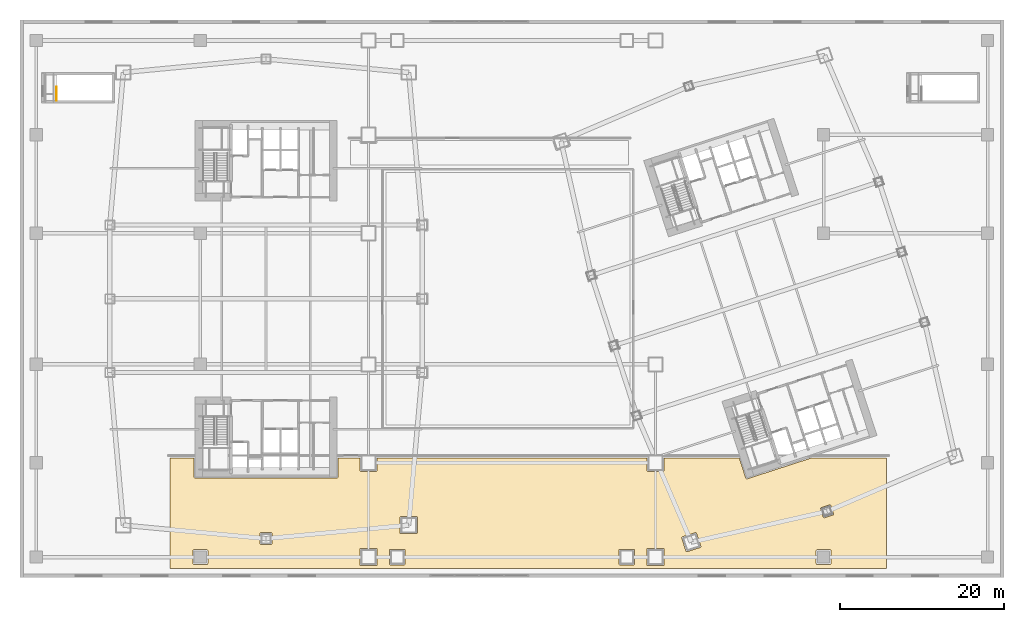
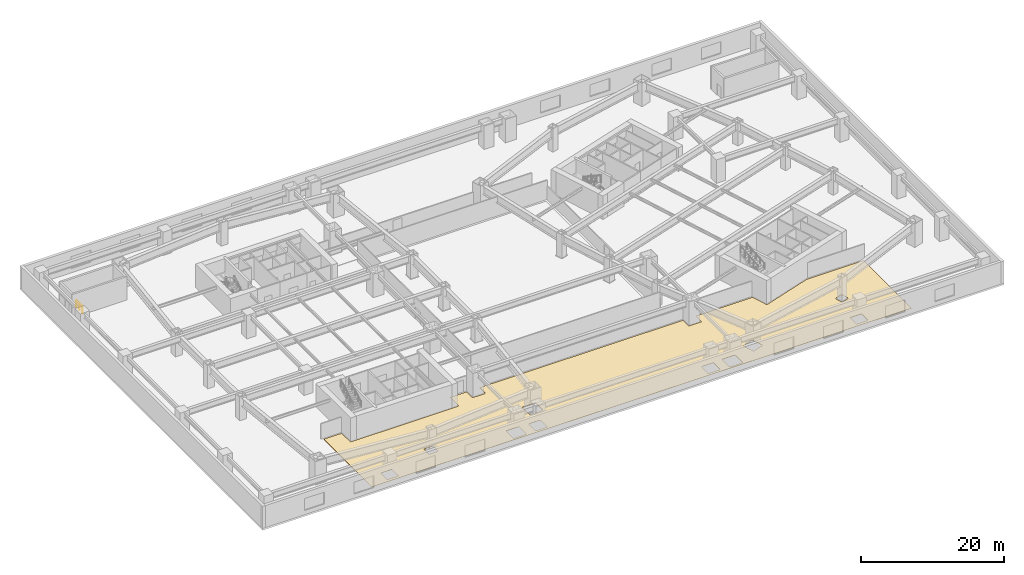
# One storey, part 21 of 25: 1 covering, 1 railing.
"""IFC4 building model written with IfcOpenShell, lengths in metres."""

from ifc_helpers import new_model, si_unit, direction, frame, origin, origin_2d, place, context, subcontext, project, spatial, polyline, circle, outline, extrude, material, layer, layer_set, type_object, element, save


model = new_model("IFC4")

# Units and contexts
model_context = context("Model", 3, precision=1e-05, world=origin(), true_north=direction((0.0, 1.0)))
body_context = subcontext(model_context, "Body", "Model", "MODEL_VIEW")
ifc_project = project(units=[si_unit("LENGTHUNIT", "METRE"), si_unit("AREAUNIT", "SQUARE_METRE"), si_unit("VOLUMEUNIT", "CUBIC_METRE"), si_unit("PLANEANGLEUNIT", "RADIAN"), si_unit("MASSUNIT", "GRAM", prefix="KILO")], contexts=[model_context])

# Site, building, storey
site_placement = place(None, origin())
site = spatial("IfcSite", under=ifc_project, at=site_placement, CompositionType="ELEMENT")
building_placement = place(site_placement, origin())
building = spatial("IfcBuilding", under=site, at=building_placement, Name="Qiaolan Cultural Towers", CompositionType="ELEMENT")
storey_placement = place(building_placement, frame((0.0, 0.0, 22.0)))
storey = spatial("IfcBuildingStorey", under=building, at=storey_placement, Name="L04", CompositionType="ELEMENT", Elevation=22.0)

# Covering
ifc_material_1 = material(Name="Honed Terrazzo & Raised Access Flooring", Category="concrete")
ifc_layer = layer(ifc_material_1, 0.0400390625)
ifc_layer_set = layer_set([ifc_layer], Name="Honed Terrazzo & Raised Access Flooring")
covering_type = type_object("IfcCoveringType", Name="COV-FLR-STONE", PredefinedType="FLOORING", material=ifc_layer_set)
covering_placement = place(storey_placement, origin())
element("IfcCovering", 1, at=covering_placement, inside=storey, type_object=covering_type, Name="L04 L04 South Reference Reading Stack Finish Flooring", PredefinedType="FLOORING", context=body_context, shape_type="SweptSolid", body=[
    extrude(outline(polyline([(78.550048828125, 13.070068359375), (78.54931640625, 13.058349609375), (78.547607421875, 13.046630859375), (78.544921875, 13.03515625), (78.540771484375, 13.024169921875), (78.535888671875, 13.013427734375), (78.52978515625, 13.00341796875), (78.522705078125, 12.993896484375), (78.514892578125, 12.985107421875), (78.506103515625, 12.977294921875), (78.49658203125, 12.97021484375), (78.486572265625, 12.964111328125), (78.475830078125, 12.959228515625), (78.46484375, 12.955078125), (78.453369140625, 12.952392578125), (78.441650390625, 12.95068359375), (78.429931640625, 12.949951171875), (76.570068359375, 12.949951171875), (76.558349609375, 12.95068359375), (76.546630859375, 12.952392578125), (76.53515625, 12.955078125), (76.524169921875, 12.959228515625), (76.513427734375, 12.964111328125), (76.50341796875, 12.97021484375), (76.493896484375, 12.977294921875), (76.485107421875, 12.985107421875), (76.477294921875, 12.993896484375), (76.47021484375, 13.00341796875), (76.464111328125, 13.013427734375), (76.459228515625, 13.024169921875), (76.455078125, 13.03515625), (76.452392578125, 13.046630859375), (76.45068359375, 13.058349609375), (76.449951171875, 13.070068359375), (76.449951171875, 14.580078125), (43.550048828125, 14.580078125), (43.550048828125, 13.070068359375), (43.54931640625, 13.058349609375), (43.547607421875, 13.046630859375), (43.544921875, 13.03515625), (43.540771484375, 13.024169921875), (43.535888671875, 13.013427734375), (43.52978515625, 13.00341796875), (43.522705078125, 12.993896484375), (43.514892578125, 12.985107421875), (43.506103515625, 12.977294921875), (43.49658203125, 12.97021484375), (43.486572265625, 12.964111328125), (43.475830078125, 12.959228515625), (43.46484375, 12.955078125), (43.453369140625, 12.952392578125), (43.441650390625, 12.95068359375), (43.429931640625, 12.949951171875), (41.570068359375, 12.949951171875), (41.558349609375, 12.95068359375), (41.546630859375, 12.952392578125), (41.53515625, 12.955078125), (41.524169921875, 12.959228515625), (41.513427734375, 12.964111328125), (41.50341796875, 12.97021484375), (41.493896484375, 12.977294921875), (41.485107421875, 12.985107421875), (41.477294921875, 12.993896484375), (41.47021484375, 13.00341796875), (41.464111328125, 13.013427734375), (41.459228515625, 13.024169921875), (41.455078125, 13.03515625), (41.452392578125, 13.046630859375), (41.45068359375, 13.058349609375), (41.449951171875, 13.070068359375), (41.449951171875, 14.580078125), (38.77001953125, 14.580078125), (38.77001953125, 12.25), (38.76953125, 12.23828125), (38.767578125, 12.2265625), (38.764892578125, 12.215087890625), (38.760986328125, 12.2041015625), (38.755859375, 12.193359375), (38.749755859375, 12.183349609375), (38.74267578125, 12.173828125), (38.73486328125, 12.1650390625), (38.72607421875, 12.1572265625), (38.716552734375, 12.150146484375), (38.70654296875, 12.144287109375), (38.69580078125, 12.13916015625), (38.684814453125, 12.13525390625), (38.67333984375, 12.13232421875), (38.661865234375, 12.130615234375), (38.64990234375, 12.1298828125), (21.35009765625, 12.1298828125), (21.338134765625, 12.130615234375), (21.32666015625, 12.13232421875), (21.315185546875, 12.13525390625), (21.30419921875, 12.13916015625), (21.29345703125, 12.144287109375), (21.283447265625, 12.150146484375), (21.27392578125, 12.1572265625), (21.26513671875, 12.1650390625), (21.25732421875, 12.173828125), (21.250244140625, 12.183349609375), (21.244140625, 12.193359375), (21.239013671875, 12.2041015625), (21.235107421875, 12.215087890625), (21.232421875, 12.2265625), (21.23046875, 12.23828125), (21.22998046875, 12.25), (21.22998046875, 14.580078125), (18.320068359375, 14.580078125), (18.320068359375, 1.1201171875), (105.679931640625, 1.1201171875), (105.679931640625, 14.580078125), (96.4736328125, 14.580078125), (88.669677734375, 12.044189453125), (88.658203125, 12.041259765625), (88.646484375, 12.039306640625), (88.634765625, 12.038330078125), (88.623046875, 12.038818359375), (88.611328125, 12.040283203125), (88.599853515625, 12.04296875), (88.5888671875, 12.046630859375), (88.578125, 12.051513671875), (88.56787109375, 12.057373046875), (88.55810546875, 12.064208984375), (88.54931640625, 12.072021484375), (88.541259765625, 12.08056640625), (88.533935546875, 12.08984375), (88.52783203125, 12.099853515625), (88.5224609375, 12.1103515625), (88.518310546875, 12.121337890625), (87.719482421875, 14.580078125), (78.550048828125, 14.580078125), (78.550048828125, 13.070068359375)]), holes=[polyline([(99.205810546875, 7.76904296875), (99.207763671875, 7.757568359375), (99.20849609375, 7.745849609375), (99.208251953125, 7.734130859375), (99.206787109375, 7.722412109375), (99.2041015625, 7.7109375), (99.2001953125, 7.69970703125), (99.195556640625, 7.68896484375), (99.189697265625, 7.6787109375), (99.182861328125, 7.669189453125), (99.175048828125, 7.66015625), (99.16650390625, 7.652099609375), (99.1572265625, 7.64501953125), (99.147216796875, 7.638671875), (99.13671875, 7.633544921875), (99.125732421875, 7.62939453125), (98.117431640625, 7.3017578125), (98.106201171875, 7.298583984375), (98.094482421875, 7.296630859375), (98.082763671875, 7.2958984375), (98.071044921875, 7.296142578125), (98.059326171875, 7.2978515625), (98.0478515625, 7.30029296875), (98.03662109375, 7.30419921875), (98.02587890625, 7.308837890625), (98.015625, 7.314697265625), (98.006103515625, 7.321533203125), (97.997314453125, 7.329345703125), (97.9892578125, 7.337890625), (97.98193359375, 7.34716796875), (97.975830078125, 7.357177734375), (97.970458984375, 7.36767578125), (97.96630859375, 7.37890625), (97.638671875, 8.386962890625), (97.6357421875, 8.398193359375), (97.6337890625, 8.409912109375), (97.6328125, 8.421630859375), (97.63330078125, 8.433349609375), (97.634765625, 8.445068359375), (97.637451171875, 8.45654296875), (97.64111328125, 8.4677734375), (97.64599609375, 8.478515625), (97.65185546875, 8.48876953125), (97.65869140625, 8.498291015625), (97.666259765625, 8.507080078125), (97.675048828125, 8.51513671875), (97.684326171875, 8.5224609375), (97.6943359375, 8.52880859375), (97.704833984375, 8.533935546875), (97.7158203125, 8.5380859375), (98.723876953125, 8.86572265625), (98.7353515625, 8.86865234375), (98.746826171875, 8.87060546875), (98.758544921875, 8.87158203125), (98.7705078125, 8.87109375), (98.781982421875, 8.86962890625), (98.79345703125, 8.866943359375), (98.8046875, 8.86328125), (98.8154296875, 8.8583984375), (98.82568359375, 8.8525390625), (98.835205078125, 8.845703125), (98.84423828125, 8.838134765625), (98.852294921875, 8.82958984375), (98.859375, 8.820068359375), (98.86572265625, 8.810302734375), (98.870849609375, 8.799560546875), (98.875, 8.78857421875), (99.20263671875, 7.780517578125), (99.205810546875, 7.76904296875)]), polyline([(97.1005859375, 3.291748046875), (97.102294921875, 3.303466796875), (97.105224609375, 3.31494140625), (97.109130859375, 3.325927734375), (97.1142578125, 3.336669921875), (97.1201171875, 3.3466796875), (97.127197265625, 3.356201171875), (97.13525390625, 3.36474609375), (97.143798828125, 3.372802734375), (97.1533203125, 3.3798828125), (97.163330078125, 3.3857421875), (97.174072265625, 3.390869140625), (97.18505859375, 3.394775390625), (97.196533203125, 3.397705078125), (97.208251953125, 3.3994140625), (97.219970703125, 3.39990234375), (98.780029296875, 3.39990234375), (98.791748046875, 3.3994140625), (98.803466796875, 3.397705078125), (98.81494140625, 3.394775390625), (98.825927734375, 3.390869140625), (98.836669921875, 3.3857421875), (98.8466796875, 3.3798828125), (98.856201171875, 3.372802734375), (98.86474609375, 3.36474609375), (98.872802734375, 3.356201171875), (98.8798828125, 3.3466796875), (98.8857421875, 3.336669921875), (98.890869140625, 3.325927734375), (98.894775390625, 3.31494140625), (98.897705078125, 3.303466796875), (98.8994140625, 3.291748046875), (98.89990234375, 3.280029296875), (98.89990234375, 1.719970703125), (98.8994140625, 1.708251953125), (98.897705078125, 1.696533203125), (98.894775390625, 1.68505859375), (98.890869140625, 1.674072265625), (98.8857421875, 1.663330078125), (98.8798828125, 1.6533203125), (98.872802734375, 1.643798828125), (98.86474609375, 1.63525390625), (98.856201171875, 1.627197265625), (98.8466796875, 1.6201171875), (98.836669921875, 1.6142578125), (98.825927734375, 1.609130859375), (98.81494140625, 1.605224609375), (98.803466796875, 1.602294921875), (98.791748046875, 1.6005859375), (98.780029296875, 1.60009765625), (97.219970703125, 1.60009765625), (97.208251953125, 1.6005859375), (97.196533203125, 1.602294921875), (97.18505859375, 1.605224609375), (97.174072265625, 1.609130859375), (97.163330078125, 1.6142578125), (97.1533203125, 1.6201171875), (97.143798828125, 1.627197265625), (97.13525390625, 1.63525390625), (97.127197265625, 1.643798828125), (97.1201171875, 1.6533203125), (97.1142578125, 1.663330078125), (97.109130859375, 1.674072265625), (97.105224609375, 1.68505859375), (97.102294921875, 1.696533203125), (97.1005859375, 1.708251953125), (97.10009765625, 1.719970703125), (97.10009765625, 3.280029296875), (97.1005859375, 3.291748046875)]), polyline([(82.36962890625, 5.48583984375), (82.38134765625, 5.48779296875), (82.39306640625, 5.48876953125), (82.40478515625, 5.48828125), (82.41650390625, 5.48681640625), (82.427978515625, 5.484130859375), (82.439208984375, 5.48046875), (82.449951171875, 5.4755859375), (82.4599609375, 5.4697265625), (82.4697265625, 5.462890625), (82.478515625, 5.455322265625), (82.486572265625, 5.446533203125), (82.493896484375, 5.437255859375), (82.5, 5.42724609375), (82.50537109375, 5.416748046875), (82.509521484375, 5.40576171875), (83.0224609375, 3.8271484375), (83.025634765625, 3.815673828125), (83.027587890625, 3.803955078125), (83.0283203125, 3.792236328125), (83.02783203125, 3.780517578125), (83.0263671875, 3.768798828125), (83.02392578125, 3.75732421875), (83.02001953125, 3.746337890625), (83.01513671875, 3.735595703125), (83.00927734375, 3.725341796875), (83.00244140625, 3.715576171875), (82.994873046875, 3.706787109375), (82.986328125, 3.69873046875), (82.97705078125, 3.69140625), (82.967041015625, 3.685302734375), (82.956298828125, 3.679931640625), (82.9453125, 3.67578125), (81.36669921875, 3.162841796875), (81.355224609375, 3.15966796875), (81.34375, 3.15771484375), (81.33203125, 3.156982421875), (81.320068359375, 3.157470703125), (81.30859375, 3.158935546875), (81.296875, 3.16162109375), (81.285888671875, 3.165283203125), (81.275146484375, 3.170166015625), (81.264892578125, 3.176025390625), (81.25537109375, 3.182861328125), (81.246337890625, 3.1904296875), (81.23828125, 3.198974609375), (81.231201171875, 3.20849609375), (81.224853515625, 3.21826171875), (81.2197265625, 3.22900390625), (81.21533203125, 3.239990234375), (80.702392578125, 4.818603515625), (80.699462890625, 4.830078125), (80.697509765625, 4.841552734375), (80.696533203125, 4.853515625), (80.697021484375, 4.865234375), (80.698486328125, 4.876953125), (80.701171875, 4.888427734375), (80.704833984375, 4.8994140625), (80.709716796875, 4.91015625), (80.715576171875, 4.92041015625), (80.722412109375, 4.929931640625), (80.72998046875, 4.93896484375), (80.73876953125, 4.947021484375), (80.748046875, 4.9541015625), (80.758056640625, 4.96044921875), (80.7685546875, 4.965576171875), (80.779541015625, 4.969970703125), (82.358154296875, 5.48291015625), (82.36962890625, 5.48583984375)]), polyline([(78.54931640625, 1.558349609375), (78.547607421875, 1.546630859375), (78.544921875, 1.53515625), (78.540771484375, 1.524169921875), (78.535888671875, 1.513427734375), (78.52978515625, 1.50341796875), (78.522705078125, 1.493896484375), (78.514892578125, 1.485107421875), (78.506103515625, 1.477294921875), (78.49658203125, 1.47021484375), (78.486572265625, 1.464111328125), (78.475830078125, 1.459228515625), (78.46484375, 1.455078125), (78.453369140625, 1.452392578125), (78.441650390625, 1.45068359375), (78.429931640625, 1.449951171875), (76.570068359375, 1.449951171875), (76.558349609375, 1.45068359375), (76.546630859375, 1.452392578125), (76.53515625, 1.455078125), (76.524169921875, 1.459228515625), (76.513427734375, 1.464111328125), (76.50341796875, 1.47021484375), (76.493896484375, 1.477294921875), (76.485107421875, 1.485107421875), (76.477294921875, 1.493896484375), (76.47021484375, 1.50341796875), (76.464111328125, 1.513427734375), (76.459228515625, 1.524169921875), (76.455078125, 1.53515625), (76.452392578125, 1.546630859375), (76.45068359375, 1.558349609375), (76.449951171875, 1.570068359375), (76.449951171875, 3.429931640625), (76.45068359375, 3.441650390625), (76.452392578125, 3.453369140625), (76.455078125, 3.46484375), (76.459228515625, 3.475830078125), (76.464111328125, 3.486572265625), (76.47021484375, 3.49658203125), (76.477294921875, 3.506103515625), (76.485107421875, 3.514892578125), (76.493896484375, 3.522705078125), (76.50341796875, 3.52978515625), (76.513427734375, 3.535888671875), (76.524169921875, 3.540771484375), (76.53515625, 3.544921875), (76.546630859375, 3.547607421875), (76.558349609375, 3.54931640625), (76.570068359375, 3.550048828125), (78.429931640625, 3.550048828125), (78.441650390625, 3.54931640625), (78.453369140625, 3.547607421875), (78.46484375, 3.544921875), (78.475830078125, 3.540771484375), (78.486572265625, 3.535888671875), (78.49658203125, 3.52978515625), (78.506103515625, 3.522705078125), (78.514892578125, 3.514892578125), (78.522705078125, 3.506103515625), (78.52978515625, 3.49658203125), (78.535888671875, 3.486572265625), (78.540771484375, 3.475830078125), (78.544921875, 3.46484375), (78.547607421875, 3.453369140625), (78.54931640625, 3.441650390625), (78.550048828125, 3.429931640625), (78.550048828125, 1.570068359375), (78.54931640625, 1.558349609375)]), polyline([(74.949462890625, 1.658203125), (74.94775390625, 1.646484375), (74.94482421875, 1.63525390625), (74.94091796875, 1.6240234375), (74.935791015625, 1.613525390625), (74.9296875, 1.603271484375), (74.9228515625, 1.593994140625), (74.914794921875, 1.585205078125), (74.906005859375, 1.5771484375), (74.896728515625, 1.5703125), (74.886474609375, 1.564208984375), (74.8759765625, 1.55908203125), (74.86474609375, 1.55517578125), (74.853515625, 1.55224609375), (74.841796875, 1.550537109375), (74.830078125, 1.550048828125), (73.169921875, 1.550048828125), (73.158203125, 1.550537109375), (73.146484375, 1.55224609375), (73.13525390625, 1.55517578125), (73.1240234375, 1.55908203125), (73.113525390625, 1.564208984375), (73.103271484375, 1.5703125), (73.093994140625, 1.5771484375), (73.085205078125, 1.585205078125), (73.0771484375, 1.593994140625), (73.0703125, 1.603271484375), (73.064208984375, 1.613525390625), (73.05908203125, 1.6240234375), (73.05517578125, 1.63525390625), (73.05224609375, 1.646484375), (73.050537109375, 1.658203125), (73.050048828125, 1.669921875), (73.050048828125, 3.330078125), (73.050537109375, 3.341796875), (73.05224609375, 3.353515625), (73.05517578125, 3.36474609375), (73.05908203125, 3.3759765625), (73.064208984375, 3.386474609375), (73.0703125, 3.396728515625), (73.0771484375, 3.406005859375), (73.085205078125, 3.414794921875), (73.093994140625, 3.4228515625), (73.103271484375, 3.4296875), (73.113525390625, 3.435791015625), (73.1240234375, 3.44091796875), (73.13525390625, 3.44482421875), (73.146484375, 3.44775390625), (73.158203125, 3.449462890625), (73.169921875, 3.449951171875), (74.830078125, 3.449951171875), (74.841796875, 3.449462890625), (74.853515625, 3.44775390625), (74.86474609375, 3.44482421875), (74.8759765625, 3.44091796875), (74.886474609375, 3.435791015625), (74.896728515625, 3.4296875), (74.906005859375, 3.4228515625), (74.914794921875, 3.414794921875), (74.9228515625, 3.406005859375), (74.9296875, 3.396728515625), (74.935791015625, 3.386474609375), (74.94091796875, 3.3759765625), (74.94482421875, 3.36474609375), (74.94775390625, 3.353515625), (74.949462890625, 3.341796875), (74.949951171875, 3.330078125), (74.949951171875, 1.669921875), (74.949462890625, 1.658203125)]), polyline([(46.458251953125, 5.3505859375), (46.446533203125, 5.352294921875), (46.43505859375, 5.355224609375), (46.424072265625, 5.359130859375), (46.413330078125, 5.3642578125), (46.4033203125, 5.3701171875), (46.393798828125, 5.377197265625), (46.38525390625, 5.38525390625), (46.377197265625, 5.393798828125), (46.3701171875, 5.4033203125), (46.3642578125, 5.413330078125), (46.359130859375, 5.424072265625), (46.355224609375, 5.43505859375), (46.352294921875, 5.446533203125), (46.3505859375, 5.458251953125), (46.35009765625, 5.469970703125), (46.35009765625, 7.330078125), (46.3505859375, 7.341796875), (46.352294921875, 7.353515625), (46.355224609375, 7.36474609375), (46.359130859375, 7.3759765625), (46.3642578125, 7.386474609375), (46.3701171875, 7.396728515625), (46.377197265625, 7.406005859375), (46.38525390625, 7.414794921875), (46.393798828125, 7.4228515625), (46.4033203125, 7.4296875), (46.413330078125, 7.435791015625), (46.424072265625, 7.44091796875), (46.43505859375, 7.44482421875), (46.446533203125, 7.44775390625), (46.458251953125, 7.449462890625), (46.469970703125, 7.449951171875), (48.330078125, 7.449951171875), (48.341796875, 7.449462890625), (48.353515625, 7.44775390625), (48.36474609375, 7.44482421875), (48.3759765625, 7.44091796875), (48.386474609375, 7.435791015625), (48.396728515625, 7.4296875), (48.406005859375, 7.4228515625), (48.414794921875, 7.414794921875), (48.4228515625, 7.406005859375), (48.4296875, 7.396728515625), (48.435791015625, 7.386474609375), (48.44091796875, 7.3759765625), (48.44482421875, 7.36474609375), (48.44775390625, 7.353515625), (48.449462890625, 7.341796875), (48.449951171875, 7.330078125), (48.449951171875, 5.469970703125), (48.449462890625, 5.458251953125), (48.44775390625, 5.446533203125), (48.44482421875, 5.43505859375), (48.44091796875, 5.424072265625), (48.435791015625, 5.413330078125), (48.4296875, 5.4033203125), (48.4228515625, 5.393798828125), (48.414794921875, 5.38525390625), (48.406005859375, 5.377197265625), (48.396728515625, 5.3701171875), (48.386474609375, 5.3642578125), (48.3759765625, 5.359130859375), (48.36474609375, 5.355224609375), (48.353515625, 5.352294921875), (48.341796875, 5.3505859375), (48.330078125, 5.35009765625), (46.469970703125, 5.35009765625), (46.458251953125, 5.3505859375)]), polyline([(46.841796875, 3.449462890625), (46.853515625, 3.44775390625), (46.86474609375, 3.44482421875), (46.8759765625, 3.44091796875), (46.886474609375, 3.435791015625), (46.896728515625, 3.4296875), (46.906005859375, 3.4228515625), (46.914794921875, 3.414794921875), (46.9228515625, 3.406005859375), (46.9296875, 3.396728515625), (46.935791015625, 3.386474609375), (46.94091796875, 3.3759765625), (46.94482421875, 3.36474609375), (46.94775390625, 3.353515625), (46.949462890625, 3.341796875), (46.949951171875, 3.330078125), (46.949951171875, 1.669921875), (46.949462890625, 1.658203125), (46.94775390625, 1.646484375), (46.94482421875, 1.63525390625), (46.94091796875, 1.6240234375), (46.935791015625, 1.613525390625), (46.9296875, 1.603271484375), (46.9228515625, 1.593994140625), (46.914794921875, 1.585205078125), (46.906005859375, 1.5771484375), (46.896728515625, 1.5703125), (46.886474609375, 1.564208984375), (46.8759765625, 1.55908203125), (46.86474609375, 1.55517578125), (46.853515625, 1.55224609375), (46.841796875, 1.550537109375), (46.830078125, 1.550048828125), (45.169921875, 1.550048828125), (45.158203125, 1.550537109375), (45.146484375, 1.55224609375), (45.13525390625, 1.55517578125), (45.1240234375, 1.55908203125), (45.113525390625, 1.564208984375), (45.103271484375, 1.5703125), (45.093994140625, 1.5771484375), (45.085205078125, 1.585205078125), (45.0771484375, 1.593994140625), (45.0703125, 1.603271484375), (45.064208984375, 1.613525390625), (45.05908203125, 1.6240234375), (45.05517578125, 1.63525390625), (45.05224609375, 1.646484375), (45.050537109375, 1.658203125), (45.050048828125, 1.669921875), (45.050048828125, 3.330078125), (45.050537109375, 3.341796875), (45.05224609375, 3.353515625), (45.05517578125, 3.36474609375), (45.05908203125, 3.3759765625), (45.064208984375, 3.386474609375), (45.0703125, 3.396728515625), (45.0771484375, 3.406005859375), (45.085205078125, 3.414794921875), (45.093994140625, 3.4228515625), (45.103271484375, 3.4296875), (45.113525390625, 3.435791015625), (45.1240234375, 3.44091796875), (45.13525390625, 3.44482421875), (45.146484375, 3.44775390625), (45.158203125, 3.449462890625), (45.169921875, 3.449951171875), (46.830078125, 3.449951171875), (46.841796875, 3.449462890625)]), polyline([(41.45068359375, 3.441650390625), (41.452392578125, 3.453369140625), (41.455078125, 3.46484375), (41.459228515625, 3.475830078125), (41.464111328125, 3.486572265625), (41.47021484375, 3.49658203125), (41.477294921875, 3.506103515625), (41.485107421875, 3.514892578125), (41.493896484375, 3.522705078125), (41.50341796875, 3.52978515625), (41.513427734375, 3.535888671875), (41.524169921875, 3.540771484375), (41.53515625, 3.544921875), (41.546630859375, 3.547607421875), (41.558349609375, 3.54931640625), (41.570068359375, 3.550048828125), (43.429931640625, 3.550048828125), (43.441650390625, 3.54931640625), (43.453369140625, 3.547607421875), (43.46484375, 3.544921875), (43.475830078125, 3.540771484375), (43.486572265625, 3.535888671875), (43.49658203125, 3.52978515625), (43.506103515625, 3.522705078125), (43.514892578125, 3.514892578125), (43.522705078125, 3.506103515625), (43.52978515625, 3.49658203125), (43.535888671875, 3.486572265625), (43.540771484375, 3.475830078125), (43.544921875, 3.46484375), (43.547607421875, 3.453369140625), (43.54931640625, 3.441650390625), (43.550048828125, 3.429931640625), (43.550048828125, 1.570068359375), (43.54931640625, 1.558349609375), (43.547607421875, 1.546630859375), (43.544921875, 1.53515625), (43.540771484375, 1.524169921875), (43.535888671875, 1.513427734375), (43.52978515625, 1.50341796875), (43.522705078125, 1.493896484375), (43.514892578125, 1.485107421875), (43.506103515625, 1.477294921875), (43.49658203125, 1.47021484375), (43.486572265625, 1.464111328125), (43.475830078125, 1.459228515625), (43.46484375, 1.455078125), (43.453369140625, 1.452392578125), (43.441650390625, 1.45068359375), (43.429931640625, 1.449951171875), (41.570068359375, 1.449951171875), (41.558349609375, 1.45068359375), (41.546630859375, 1.452392578125), (41.53515625, 1.455078125), (41.524169921875, 1.459228515625), (41.513427734375, 1.464111328125), (41.50341796875, 1.47021484375), (41.493896484375, 1.477294921875), (41.485107421875, 1.485107421875), (41.477294921875, 1.493896484375), (41.47021484375, 1.50341796875), (41.464111328125, 1.513427734375), (41.459228515625, 1.524169921875), (41.455078125, 1.53515625), (41.452392578125, 1.546630859375), (41.45068359375, 1.558349609375), (41.449951171875, 1.570068359375), (41.449951171875, 3.429931640625), (41.45068359375, 3.441650390625)]), polyline([(29.275634765625, 5.36669921875), (29.27734375, 5.37841796875), (29.2802734375, 5.389892578125), (29.2841796875, 5.40087890625), (29.2890625, 5.41162109375), (29.295166015625, 5.421630859375), (29.30224609375, 5.43115234375), (29.31005859375, 5.43994140625), (29.31884765625, 5.44775390625), (29.328369140625, 5.454833984375), (29.33837890625, 5.4609375), (29.34912109375, 5.4658203125), (29.360107421875, 5.4697265625), (29.37158203125, 5.47265625), (29.38330078125, 5.474365234375), (29.39501953125, 5.47509765625), (30.60498046875, 5.47509765625), (30.61669921875, 5.474365234375), (30.62841796875, 5.47265625), (30.639892578125, 5.4697265625), (30.65087890625, 5.4658203125), (30.66162109375, 5.4609375), (30.671630859375, 5.454833984375), (30.68115234375, 5.44775390625), (30.68994140625, 5.43994140625), (30.69775390625, 5.43115234375), (30.704833984375, 5.421630859375), (30.7109375, 5.41162109375), (30.7158203125, 5.40087890625), (30.7197265625, 5.389892578125), (30.72265625, 5.37841796875), (30.724365234375, 5.36669921875), (30.72509765625, 5.35498046875), (30.72509765625, 4.14501953125), (30.724365234375, 4.13330078125), (30.72265625, 4.12158203125), (30.7197265625, 4.110107421875), (30.7158203125, 4.09912109375), (30.7109375, 4.08837890625), (30.704833984375, 4.078369140625), (30.69775390625, 4.06884765625), (30.68994140625, 4.06005859375), (30.68115234375, 4.05224609375), (30.671630859375, 4.045166015625), (30.66162109375, 4.0390625), (30.65087890625, 4.0341796875), (30.639892578125, 4.0302734375), (30.62841796875, 4.02734375), (30.61669921875, 4.025634765625), (30.60498046875, 4.02490234375), (29.39501953125, 4.02490234375), (29.38330078125, 4.025634765625), (29.37158203125, 4.02734375), (29.360107421875, 4.0302734375), (29.34912109375, 4.0341796875), (29.33837890625, 4.0390625), (29.328369140625, 4.045166015625), (29.31884765625, 4.05224609375), (29.31005859375, 4.06005859375), (29.30224609375, 4.06884765625), (29.295166015625, 4.078369140625), (29.2890625, 4.08837890625), (29.2841796875, 4.09912109375), (29.2802734375, 4.110107421875), (29.27734375, 4.12158203125), (29.275634765625, 4.13330078125), (29.27490234375, 4.14501953125), (29.27490234375, 5.35498046875), (29.275634765625, 5.36669921875)]), polyline([(21.208251953125, 1.6005859375), (21.196533203125, 1.602294921875), (21.18505859375, 1.605224609375), (21.174072265625, 1.609130859375), (21.163330078125, 1.6142578125), (21.1533203125, 1.6201171875), (21.143798828125, 1.627197265625), (21.13525390625, 1.63525390625), (21.127197265625, 1.643798828125), (21.1201171875, 1.6533203125), (21.1142578125, 1.663330078125), (21.109130859375, 1.674072265625), (21.105224609375, 1.68505859375), (21.102294921875, 1.696533203125), (21.1005859375, 1.708251953125), (21.10009765625, 1.719970703125), (21.10009765625, 3.280029296875), (21.1005859375, 3.291748046875), (21.102294921875, 3.303466796875), (21.105224609375, 3.31494140625), (21.109130859375, 3.325927734375), (21.1142578125, 3.336669921875), (21.1201171875, 3.3466796875), (21.127197265625, 3.356201171875), (21.13525390625, 3.36474609375), (21.143798828125, 3.372802734375), (21.1533203125, 3.3798828125), (21.163330078125, 3.3857421875), (21.174072265625, 3.390869140625), (21.18505859375, 3.394775390625), (21.196533203125, 3.397705078125), (21.208251953125, 3.3994140625), (21.219970703125, 3.39990234375), (22.780029296875, 3.39990234375), (22.791748046875, 3.3994140625), (22.803466796875, 3.397705078125), (22.81494140625, 3.394775390625), (22.825927734375, 3.390869140625), (22.836669921875, 3.3857421875), (22.8466796875, 3.3798828125), (22.856201171875, 3.372802734375), (22.86474609375, 3.36474609375), (22.872802734375, 3.356201171875), (22.8798828125, 3.3466796875), (22.8857421875, 3.336669921875), (22.890869140625, 3.325927734375), (22.894775390625, 3.31494140625), (22.897705078125, 3.303466796875), (22.8994140625, 3.291748046875), (22.89990234375, 3.280029296875), (22.89990234375, 1.719970703125), (22.8994140625, 1.708251953125), (22.897705078125, 1.696533203125), (22.894775390625, 1.68505859375), (22.890869140625, 1.674072265625), (22.8857421875, 1.663330078125), (22.8798828125, 1.6533203125), (22.872802734375, 1.643798828125), (22.86474609375, 1.63525390625), (22.856201171875, 1.627197265625), (22.8466796875, 1.6201171875), (22.836669921875, 1.6142578125), (22.825927734375, 1.609130859375), (22.81494140625, 1.605224609375), (22.803466796875, 1.602294921875), (22.791748046875, 1.6005859375), (22.780029296875, 1.60009765625), (21.219970703125, 1.60009765625), (21.208251953125, 1.6005859375)])]), origin(), (0.0, 0.0, 1.0), 0.0400390625),
])

# Railing
ifc_material_2 = material(Name="Galvanized Painted Steel Stair Guardrail", Category="steel")
railing_type = type_object("IfcRailingType", Name="RL-STAIR-GRD", PredefinedType="GUARDRAIL", material=ifc_material_2)
railing_placement = place(storey_placement, frame((4.449951171875, 58.199951171875, 0.0)))
element("IfcRailing", 2, at=railing_placement, inside=storey, type_object=railing_type, Name="L04 ST-P1 top well guard 1", PredefinedType="GUARDRAIL", context=body_context, shape_type="SweptSolid", body=[
    extrude(circle(Radius=0.02392578125, at=origin_2d()), frame((0.0, 0.0, 1.17578125), z_axis=(0.0, 1.0, 0.0), x_axis=(-1.0, 0.0, 0.0)), (0.0, 0.0, 1.0), 1.650146484375),
    extrude(circle(Radius=0.02099609375, at=origin_2d()), origin(), (0.0, 0.0, 1.0), 1.15185546875),
    extrude(circle(Radius=0.02099609375, at=origin_2d()), frame((0.0, 0.8251953125, 0.0)), (0.0, 0.0, 1.0), 1.15185546875),
    extrude(circle(Radius=0.02099609375, at=origin_2d()), frame((0.0, 1.650146484375, 0.0)), (0.0, 0.0, 1.0), 1.15185546875),
])

save(model, "model.ifc")
